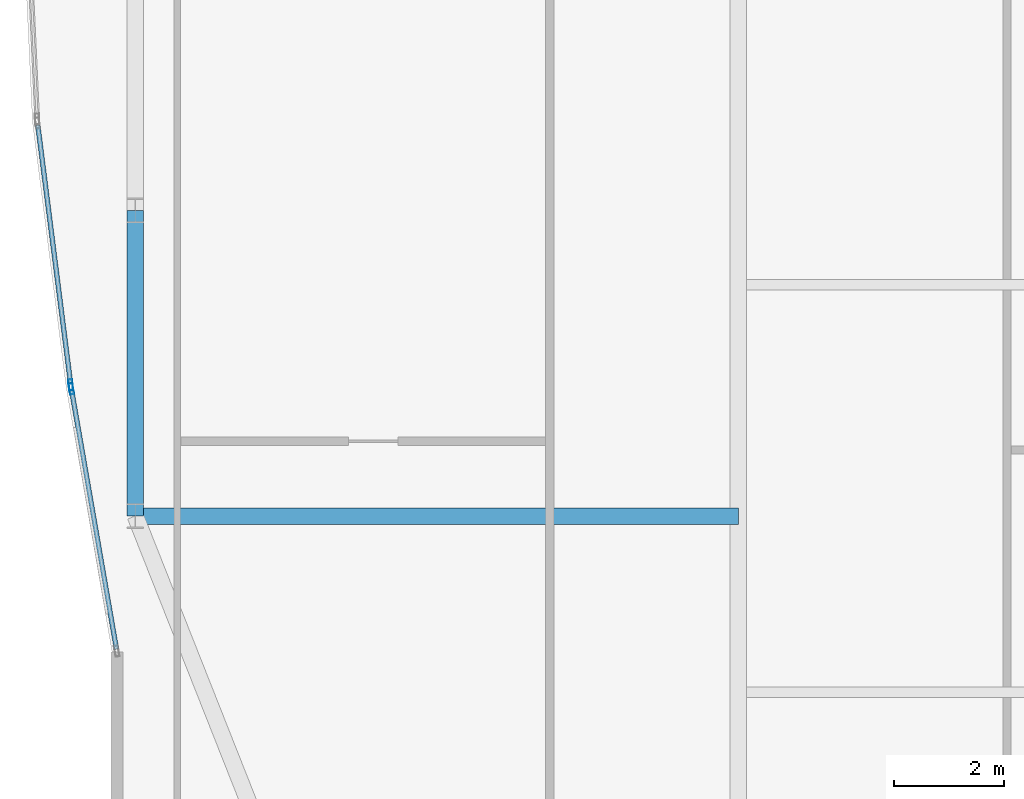
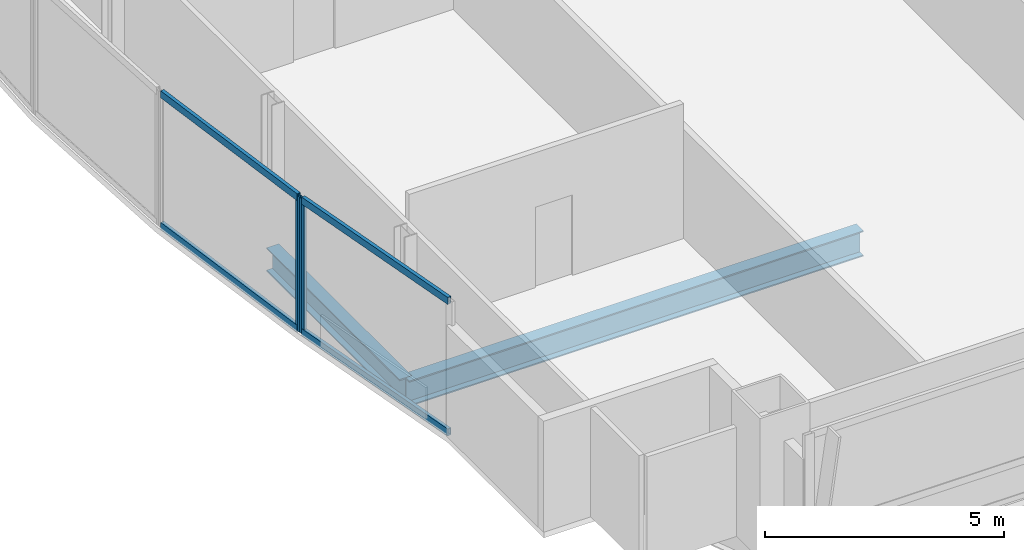
# One storey, part 6 of 30: 6 members, 2 beams, 2 elements without a shape of their own.
"""IFC4 building model written with IfcOpenShell, lengths in metres."""

import ifcopenshell
import ifcopenshell.guid

model = None  # the IFC model being written
_history = None  # IfcOwnerHistory: only IFC2X3 demands one
_inside = {}  # id of a spatial element -> (the spatial element, [elements in it])
_under = {}  # id of a project, library or spatial element -> (it, [spatial elements below it])
_declared = {}  # id of a project -> (the project, [libraries it declares])
_typed = {}  # id of a type object -> (the type object, [elements of that type])
_made_of = {}  # id of a material, layer set ... -> (it, [elements and type objects made of it])


def new_model(schema):
    """Start an empty IFC model of exactly this schema.

    Asked for "IFC4X3", IfcOpenShell would pick the latest addendum, in which some entities
    have other attributes; the version numbers below select the first issue.
    IFC2X3 requires an IfcOwnerHistory on every rooted entity: one is made here for all.
    """
    global model, _history
    if schema == "IFC4X3":
        model = ifcopenshell.file(schema_version=(4, 3, 0, 0))
    else:
        model = ifcopenshell.file(schema=schema)
    _inside.clear()
    _under.clear()
    _declared.clear()
    _typed.clear()
    _made_of.clear()
    _history = None
    if model.schema == "IFC2X3":
        org = make("IfcOrganization", Name="unknown")
        user = make(
            "IfcPersonAndOrganization",
            ThePerson=make("IfcPerson", FamilyName="unknown"),
            TheOrganization=org,
        )
        app = make(
            "IfcApplication",
            ApplicationDeveloper=org,
            Version="unknown",
            ApplicationFullName="unknown",
            ApplicationIdentifier="unknown",
        )
        _history = make(
            "IfcOwnerHistory",
            OwningUser=user,
            OwningApplication=app,
            ChangeAction="ADDED",
            CreationDate=0,
        )
    return model


def make(cls, **values):
    """One entity of the class cls with the attributes given. An attribute that is None is left unset."""
    return model.create_entity(
        cls, **{name: value for name, value in values.items() if value is not None}
    )


def rooted(cls, **values):
    """An entity with a GlobalId (a new one), such as an element, a storey or a relation."""
    return make(cls, GlobalId=ifcopenshell.guid.new(), OwnerHistory=_history, **values)


def si_unit(unit_type, name, prefix=None):
    """IfcSIUnit, for example si_unit("LENGTHUNIT", "METRE", prefix="MILLI")."""
    return make("IfcSIUnit", UnitType=unit_type, Prefix=prefix, Name=name)


def assignment(units):
    """IfcUnitAssignment: the units of a project."""
    return None if units is None else make("IfcUnitAssignment", Units=units)


def point(xyz):
    """IfcCartesianPoint."""
    return None if xyz is None else make("IfcCartesianPoint", Coordinates=xyz)


def direction(xyz):
    """IfcDirection."""
    return None if xyz is None else make("IfcDirection", DirectionRatios=xyz)


def frame(location, z_axis=None, x_axis=None):
    """IfcAxis2Placement3D, a coordinate frame: its origin and axes. An axis left out is left unset."""
    return make(
        "IfcAxis2Placement3D",
        Location=point(location),
        Axis=direction(z_axis),
        RefDirection=direction(x_axis),
    )


def frame_2d(location, x_axis=None):
    """IfcAxis2Placement2D, a coordinate frame in the plane: its origin and x axis."""
    return make(
        "IfcAxis2Placement2D", Location=point(location), RefDirection=direction(x_axis)
    )


def origin():
    """The frame at (0, 0, 0) with its axes left unset."""
    return frame((0.0, 0.0, 0.0))


def origin_2d():
    """The frame at (0, 0) in the plane with its x axis left unset."""
    return frame_2d((0.0, 0.0))


def place(relative_to, where):
    """IfcLocalPlacement: puts the frame where relative to a parent placement (None: the world)."""
    return make(
        "IfcLocalPlacement", PlacementRelTo=relative_to, RelativePlacement=where
    )


def context(
    kind, dimensions, precision=None, world=None, true_north=None, identifier=None
):
    """IfcGeometricRepresentationContext, for example the 3D "Model" context."""
    return make(
        "IfcGeometricRepresentationContext",
        ContextIdentifier=identifier,
        ContextType=kind,
        CoordinateSpaceDimension=dimensions,
        Precision=precision,
        WorldCoordinateSystem=world,
        TrueNorth=true_north,
    )


def subcontext(parent, identifier, kind, view, scale=None):
    """IfcGeometricRepresentationSubContext, for example "Body" below "Model"."""
    return make(
        "IfcGeometricRepresentationSubContext",
        ContextIdentifier=identifier,
        ContextType=kind,
        ParentContext=parent,
        TargetScale=scale,
        TargetView=view,
    )


def project(units=None, contexts=None):
    """IfcProject with its units and contexts."""
    return rooted(
        "IfcProject",
        Name="project",
        RepresentationContexts=contexts,
        UnitsInContext=assignment(units),
    )


def spatial(cls, under=None, at=None, **own):
    """A site, building, storey or space (cls), placed at a placement, below another one or the project."""
    s = rooted(cls, ObjectPlacement=at, **own)
    if under is not None:
        _under.setdefault(under.id(), (under, []))[1].append(s)
    return s


def profile(cls, at=None, kind="AREA", **sizes):
    """A parametric profile (cls). Its sizes go by their IFC names, for example OverallWidth=200.0."""
    return make(cls, ProfileType=kind, Position=at, **sizes)


def hollow_rectangle(**sizes):
    """IfcRectangleHollowProfileDef."""
    return profile("IfcRectangleHollowProfileDef", **sizes)


def i_section(**sizes):
    """IfcIShapeProfileDef."""
    return profile("IfcIShapeProfileDef", **sizes)


def extrude(swept, where, along, depth):
    """IfcExtrudedAreaSolid: the profile swept, set in the frame where, extruded along a direction by depth."""
    return make(
        "IfcExtrudedAreaSolid",
        SweptArea=swept,
        Position=where,
        ExtrudedDirection=direction(along),
        Depth=depth,
    )


def shape(context_of_items, identifier, shape_type, items):
    """IfcShapeRepresentation: the items that make up one representation, for example the "Body"."""
    return make(
        "IfcShapeRepresentation",
        ContextOfItems=context_of_items,
        RepresentationIdentifier=identifier,
        RepresentationType=shape_type,
        Items=items,
    )


def material(Name=None, Category=None):
    """IfcMaterial."""
    return make("IfcMaterial", Name=Name, Category=Category)


def material_profile(
    of_material, cross_section, Name=None, Category=None, Priority=None
):
    """IfcMaterialProfile: a cross section and its material."""
    return make(
        "IfcMaterialProfile",
        Name=Name,
        Material=of_material,
        Profile=cross_section,
        Priority=Priority,
        Category=Category,
    )


def profile_set(profiles, Name=None, composite=None):
    """IfcMaterialProfileSet."""
    return make(
        "IfcMaterialProfileSet",
        Name=Name,
        MaterialProfiles=profiles,
        CompositeProfile=composite,
    )


def made_of(thing, what):
    """Note that an element or type object is made of a material, layer set ...; save() writes the relation."""
    if what is not None:
        _made_of.setdefault(what.id(), (what, []))[1].append(thing)
    return thing


def type_object(cls, material=None, **own):
    """A type object (cls), such as IfcWallType, which elements share."""
    return made_of(rooted(cls, **own), material)


def element(
    cls,
    number,
    at=None,
    inside=None,
    cuts=None,
    type_object=None,
    material=None,
    context=None,
    identifier="Body",
    shape_type=None,
    held_by="IfcProductDefinitionShape",
    body=None,
    shapes=None,
    **own,
):
    """One element of the class cls, such as IfcWall. Its Tag is "e" and its number.

    at: its placement. inside: the storey or other place that contains it. cuts: it is an
    opening in that element (IfcRelVoidsElement). A single representation is given by context,
    identifier, shape_type and body (its items); several are given by shapes. held_by: the class
    of the entity that holds the representations. save() writes the other relations.
    """
    e = rooted(cls, Tag="e%d" % number, ObjectPlacement=at, **own)
    if body is not None:
        shapes = [shape(context, identifier, shape_type, body)]
    if shapes is not None:
        e.Representation = make(held_by, Representations=shapes)
    if inside is not None:
        _inside.setdefault(inside.id(), (inside, []))[1].append(e)
    if cuts is not None:
        rooted(
            "IfcRelVoidsElement", RelatingBuildingElement=cuts, RelatedOpeningElement=e
        )
    if type_object is not None:
        _typed.setdefault(type_object.id(), (type_object, []))[1].append(e)
    return made_of(e, material)


def aggregate(whole, parts):
    """IfcRelAggregates: a whole, such as a stair, and the parts it consists of."""
    return rooted("IfcRelAggregates", RelatingObject=whole, RelatedObjects=parts)


def save(model, path):
    """Write the relations noted so far, then the file.

    IfcRelAggregates (storeys below a building ...), IfcRelContainedInSpatialStructure (elements
    in a storey), IfcRelDefinesByType, IfcRelAssociatesMaterial and IfcRelDeclares: one each for
    every whole, place, type object, material and project.
    """
    for whole, parts in _under.values():
        aggregate(whole, parts)
    for where, things in _inside.values():
        rooted(
            "IfcRelContainedInSpatialStructure",
            RelatedElements=things,
            RelatingStructure=where,
        )
    for kind, things in _typed.values():
        rooted("IfcRelDefinesByType", RelatedObjects=things, RelatingType=kind)
    for what, things in _made_of.values():
        rooted("IfcRelAssociatesMaterial", RelatedObjects=things, RelatingMaterial=what)
    for by, libraries in _declared.values():
        rooted("IfcRelDeclares", RelatingContext=by, RelatedDefinitions=libraries)
    model.write(path)


model = new_model("IFC4")

# Units and contexts
model_context = context("Model", 3, precision=1e-05, world=origin(), true_north=direction((0.0, 1.0)))
body_context = subcontext(model_context, "Body", "Model", "MODEL_VIEW")
ifc_project = project(units=[si_unit("LENGTHUNIT", "METRE"), si_unit("AREAUNIT", "SQUARE_METRE"), si_unit("VOLUMEUNIT", "CUBIC_METRE"), si_unit("PLANEANGLEUNIT", "RADIAN"), si_unit("MASSUNIT", "GRAM", prefix="KILO")], contexts=[model_context])

# Site, building, storey
site_placement = place(None, origin())
site = spatial("IfcSite", under=ifc_project, at=site_placement, CompositionType="ELEMENT")
building_placement = place(site_placement, origin())
building = spatial("IfcBuilding", under=site, at=building_placement, Name="Khoronbel Lancet Exchange", CompositionType="ELEMENT")
storey_placement = place(building_placement, frame((0.0, 0.0, 224.60009765625)))
storey = spatial("IfcBuildingStorey", under=building, at=storey_placement, Name="L57", CompositionType="ELEMENT", Elevation=224.60009765625)

# Beams
ifc_material_1 = material(Name="Steel S355", Category="steel")
ifc_material_profile_1 = material_profile(ifc_material_1, i_section(OverallWidth=0.300048828125, OverallDepth=0.64990234375, WebThickness=0.01611328125, FlangeThickness=0.031005859375, at=origin_2d()), Name="HEB 650")
ifc_profile_set_1 = profile_set([ifc_material_profile_1], Name="Steel S355")
beam_type_1 = type_object("IfcBeamType", Name="BM-BG4", PredefinedType="BEAM", material=ifc_profile_set_1)
beam_1_placement = place(storey_placement, frame((7.27001953125, 19.199951171875, -0.485107421875), z_axis=(1.0, 0.0, 0.0), x_axis=(0.0, 1.0, 0.0)))
element("IfcBeam", 1, at=beam_1_placement, inside=storey, type_object=beam_type_1, Name="Level L57 west lens tie girder LG1W", PredefinedType="BEAM", context=body_context, shape_type="SweptSolid", body=[
    extrude(i_section(OverallWidth=0.300048828125, OverallDepth=0.64990234375, WebThickness=0.01611328125, FlangeThickness=0.031005859375, at=origin_2d()), origin(), (0.0, 0.0, 1.0), 10.955078125),
])
ifc_material_profile_2 = material_profile(ifc_material_1, i_section(OverallWidth=0.300048828125, OverallDepth=0.60009765625, WebThickness=0.015380859375, FlangeThickness=0.030029296875, at=origin_2d()), Name="HEB 600")
ifc_profile_set_2 = profile_set([ifc_material_profile_2], Name="Steel S355")
beam_type_2 = type_object("IfcBeamType", Name="BM-BSP2", PredefinedType="SPANDREL", material=ifc_profile_set_2)
beam_2_placement = place(storey_placement, frame((7.27001953125, 24.75, -0.460205078125), z_axis=(0.0, -1.0, 0.0), x_axis=(1.0, 0.0, 0.0)))
element("IfcBeam", 2, at=beam_2_placement, inside=storey, type_object=beam_type_2, Name="Level L57 perimeter spandrel beam SP20", PredefinedType="SPANDREL", context=body_context, shape_type="SweptSolid", body=[
    extrude(i_section(OverallWidth=0.300048828125, OverallDepth=0.60009765625, WebThickness=0.015380859375, FlangeThickness=0.030029296875, at=origin_2d()), origin(), (0.0, 0.0, 1.0), 5.550048828125),
])

# Curtain wall, member
ifc_material_2 = material(Name="Low-E Solar Control Insulating Glass", Category="glass")
curtain_wall_type = type_object("IfcCurtainWallType", Name="CW-4", PredefinedType="NOTDEFINED", material=ifc_material_2)
curtain_wall_1_placement = place(storey_placement, origin())
curtain_wall_1 = element("IfcCurtainWall", 3, at=curtain_wall_1_placement, inside=storey, type_object=curtain_wall_type, Name="Unitised curtain wall CW-L57-E04", PredefinedType="NOTDEFINED")
ifc_material_3 = material(Name="Bronze-Anodised Aluminium 6063-T6", Category="aluminium")
ifc_material_profile_3 = material_profile(ifc_material_3, hollow_rectangle(XDim=0.074951171875, YDim=0.199951171875, WallThickness=0.0048828125, at=origin_2d()), Name="ALU MULLION 75x200")
ifc_profile_set_3 = profile_set([ifc_material_profile_3], Name="Bronze-Anodised Aluminium 6063-T6")
member_type_1 = type_object("IfcMemberType", Name="MEM-CWM2", PredefinedType="MULLION", material=ifc_profile_set_3)
member_1_placement = place(storey_placement, frame((6.107421875, 21.509765625, 0.0), z_axis=(0.0, 0.0, 1.0), x_axis=(-0.985299795883, -0.170834165885, 0.0)))
member_1 = element("IfcMember", 4, at=member_1_placement, type_object=member_type_1, Name="CW4 mullion 2", PredefinedType="MULLION", context=body_context, shape_type="SweptSolid", body=[
    extrude(hollow_rectangle(XDim=0.074951171875, YDim=0.199951171875, WallThickness=0.0048828125, at=origin_2d()), origin(), (0.0, 0.0, 1.0), 3.43994140625),
])

curtain_wall_2_placement = place(storey_placement, origin())
curtain_wall_2 = element("IfcCurtainWall", 5, at=curtain_wall_2_placement, inside=storey, type_object=curtain_wall_type, Name="Unitised curtain wall CW-L57-E05", PredefinedType="NOTDEFINED")
member_2_placement = place(storey_placement, frame((6.09619140625, 21.583984375, 0.0), z_axis=(0.0, 0.0, 1.0), x_axis=(-0.992040249604, -0.125921178381, 0.0)))
member_2 = element("IfcMember", 6, at=member_2_placement, type_object=member_type_1, Name="CW4 mullion 1", PredefinedType="MULLION", context=body_context, shape_type="SweptSolid", body=[
    extrude(hollow_rectangle(XDim=0.074951171875, YDim=0.199951171875, WallThickness=0.0048828125, at=origin_2d()), origin(), (0.0, 0.0, 1.0), 3.43994140625),
])

# Member
ifc_material_profile_4 = material_profile(ifc_material_3, hollow_rectangle(XDim=0.0849609375, YDim=0.179931640625, WallThickness=0.0048828125, at=origin_2d()), Name="ALU TRANSOM 85x180")
ifc_profile_set_4 = profile_set([ifc_material_profile_4], Name="Bronze-Anodised Aluminium 6063-T6")
member_type_2 = type_object("IfcMemberType", Name="MEM-CWT1", PredefinedType="USERDEFINED", material=ifc_profile_set_4)
member_3_placement = place(storey_placement, frame((6.92724609375, 16.781494140625, 0.04248046875), z_axis=(-0.170847785761, 0.985297434332, 0.0), x_axis=(-0.985297434332, -0.170847785761, 0.0)))
member_3 = element("IfcMember", 7, at=member_3_placement, type_object=member_type_2, Name="CW4 transom 1.1", ObjectType="TRANSOM", PredefinedType="USERDEFINED", context=body_context, shape_type="SweptSolid", body=[
    extrude(hollow_rectangle(XDim=0.0849609375, YDim=0.179931640625, WallThickness=0.0048828125, at=origin_2d()), origin(), (0.0, 0.0, 1.0), 4.761474609375),
])

member_4_placement = place(storey_placement, frame((6.92724609375, 16.781494140625, 3.3974609375), z_axis=(-0.170847785761, 0.985297434332, 0.0), x_axis=(-0.985297434332, -0.170847785761, 0.0)))
member_4 = element("IfcMember", 8, at=member_4_placement, type_object=member_type_2, Name="CW4 transom 1.2", ObjectType="TRANSOM", PredefinedType="USERDEFINED", context=body_context, shape_type="SweptSolid", body=[
    extrude(hollow_rectangle(XDim=0.0849609375, YDim=0.179931640625, WallThickness=0.0048828125, at=origin_2d()), origin(), (0.0, 0.0, 1.0), 4.761474609375),
])

aggregate(curtain_wall_1, [member_1, member_3, member_4])

member_5_placement = place(storey_placement, frame((6.091552734375, 21.62109375, 0.04248046875), z_axis=(-0.125939384523, 0.992037938501, 0.0), x_axis=(-0.992037938501, -0.125939384523, 0.0)))
member_5 = element("IfcMember", 9, at=member_5_placement, type_object=member_type_2, Name="CW4 transom 1.1", ObjectType="TRANSOM", PredefinedType="USERDEFINED", context=body_context, shape_type="SweptSolid", body=[
    extrude(hollow_rectangle(XDim=0.0849609375, YDim=0.179931640625, WallThickness=0.0048828125, at=origin_2d()), origin(), (0.0, 0.0, 1.0), 4.716552734375),
])

member_6_placement = place(storey_placement, frame((6.091552734375, 21.62109375, 3.3974609375), z_axis=(-0.125939384523, 0.992037938501, 0.0), x_axis=(-0.992037938501, -0.125939384523, 0.0)))
member_6 = element("IfcMember", 10, at=member_6_placement, type_object=member_type_2, Name="CW4 transom 1.2", ObjectType="TRANSOM", PredefinedType="USERDEFINED", context=body_context, shape_type="SweptSolid", body=[
    extrude(hollow_rectangle(XDim=0.0849609375, YDim=0.179931640625, WallThickness=0.0048828125, at=origin_2d()), origin(), (0.0, 0.0, 1.0), 4.716552734375),
])

aggregate(curtain_wall_2, [member_2, member_5, member_6])

save(model, "model.ifc")
